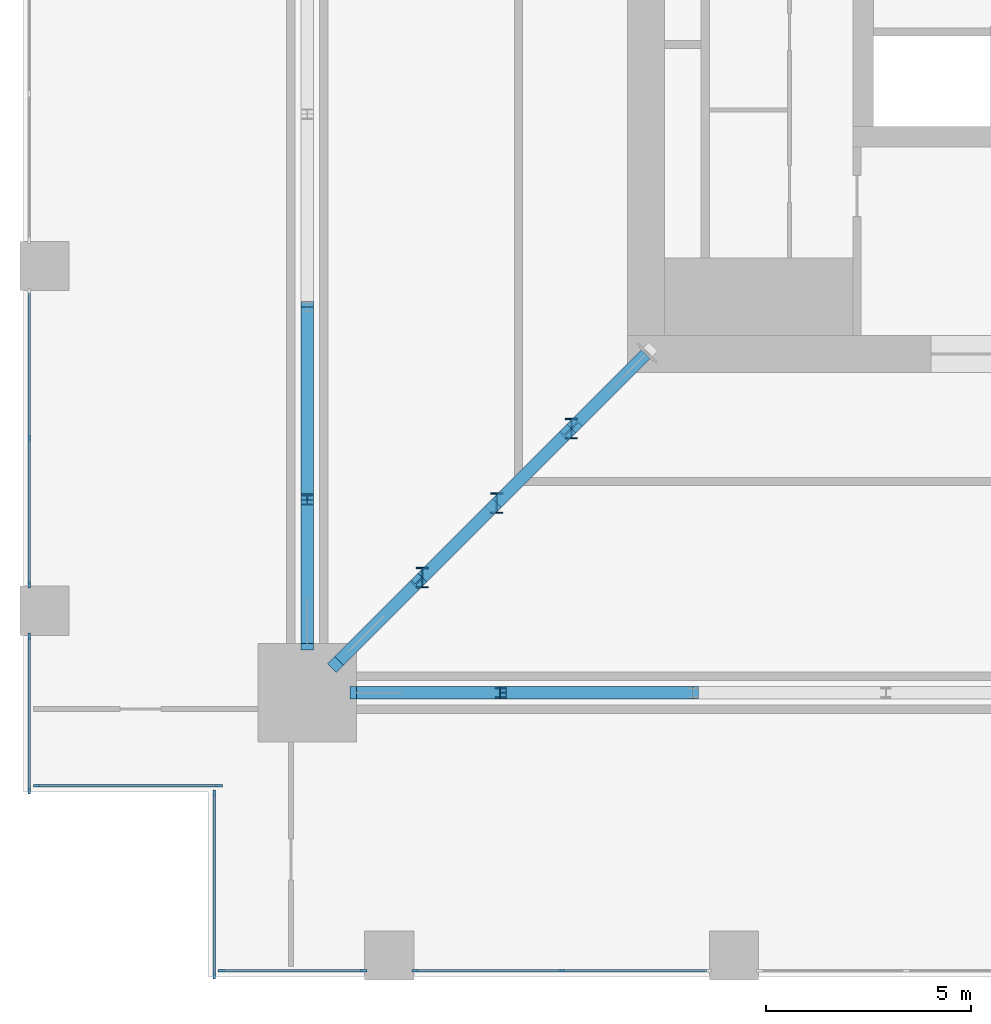
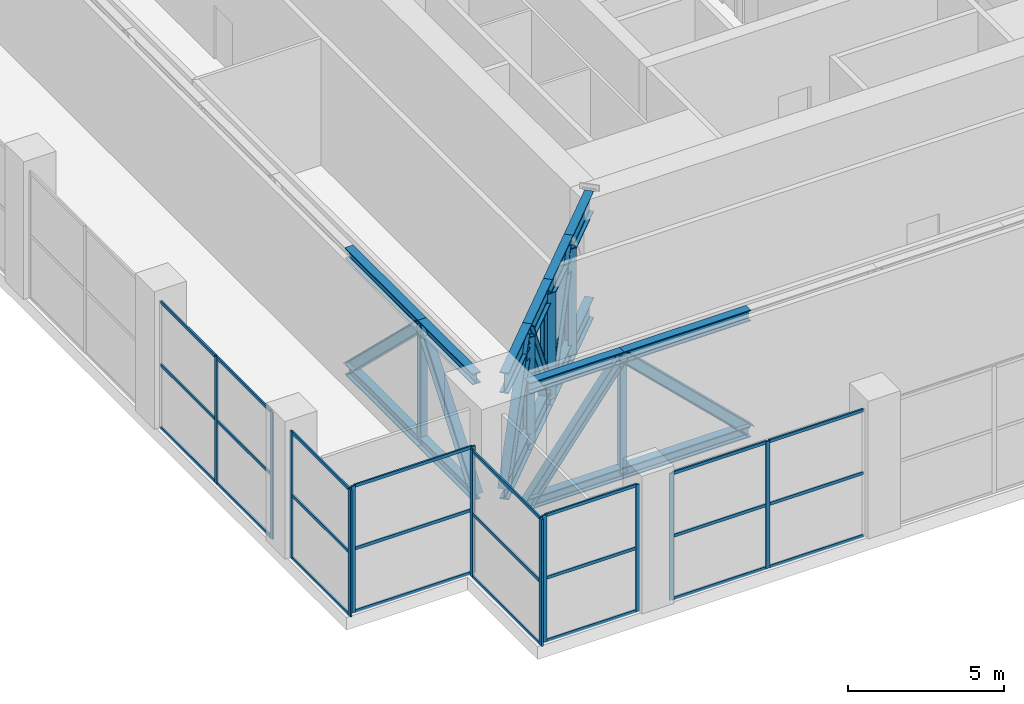
# One storey, part 2 of 21: 64 members, 6 elements without a shape of their own.
"""IFC4 building model written with IfcOpenShell, lengths in metres."""

from ifc_helpers import new_model, si_unit, direction, frame, origin, origin_2d, place, context, subcontext, project, spatial, rectangle, i_section, extrude, material, material_profile, profile_set, type_object, element, aggregate, save


model = new_model("IFC4")

# Units and contexts
model_context = context("Model", 3, precision=1e-05, world=origin(), true_north=direction((0.0, 1.0)))
body_context = subcontext(model_context, "Body", "Model", "MODEL_VIEW")
ifc_project = project(units=[si_unit("LENGTHUNIT", "METRE"), si_unit("AREAUNIT", "SQUARE_METRE"), si_unit("VOLUMEUNIT", "CUBIC_METRE"), si_unit("PLANEANGLEUNIT", "RADIAN"), si_unit("MASSUNIT", "GRAM", prefix="KILO")], contexts=[model_context])

# Site, building, storey
site_placement = place(None, origin())
site = spatial("IfcSite", under=ifc_project, at=site_placement, CompositionType="ELEMENT")
building_placement = place(site_placement, origin())
building = spatial("IfcBuilding", under=site, at=building_placement, Name="Khepri Terraces", CompositionType="ELEMENT")
storey_placement = place(building_placement, frame((0.0, 0.0, 235.199951171875)))
storey = spatial("IfcBuildingStorey", under=building, at=storey_placement, Name="L56", CompositionType="ELEMENT", Elevation=235.199951171875)

# Members
ifc_material_1 = material(Name="Steel S355", Category="steel")
ifc_material_profile_1 = material_profile(ifc_material_1, i_section(OverallWidth=0.306884765625, OverallDepth=0.431884765625, WebThickness=0.02099609375, FlangeThickness=0.0400390625, FilletRadius=0.027099609375, at=origin_2d()), Name="Steel S355", Category="steel")
ifc_profile_set_1 = profile_set([ifc_material_profile_1], Name="Steel S355")
member_type_1 = type_object("IfcMemberType", Name="Belt truss chord HEM 400", PredefinedType="CHORD", material=ifc_profile_set_1)
for number, where, z_axis, x_axis, name in (
    (1, (-17.60009765625, -18.800048828125, 0.216064453125), (1.0, 0.0, 0.0), (0.0, 1.0, 0.0), "Belt truss chord BT-56-S bottom 1"),
    (2, (-17.60009765625, -18.800048828125, 4.76416015625), (1.0, 0.0, 0.0), (0.0, 1.0, 0.0), "Belt truss chord BT-56-S top 1"),
):
    element("IfcMember", number, at=place(storey_placement, frame(where, z_axis=z_axis, x_axis=x_axis)), inside=storey, type_object=member_type_1, Name=name, PredefinedType="CHORD", context=body_context, shape_type="SweptSolid", body=[
        extrude(i_section(OverallWidth=0.306884765625, OverallDepth=0.431884765625, WebThickness=0.02099609375, FlangeThickness=0.0400390625, FilletRadius=0.027099609375, at=origin_2d()), origin(), (0.0, 0.0, 1.0), 3.5),
    ])
for number, where, z_axis, x_axis, name in (
    (3, (-14.10009765625, -18.800048828125, 0.216064453125), (1.0, 0.0, 0.0), (0.0, 1.0, 0.0), "Belt truss chord BT-56-S bottom 2"),
    (4, (-14.10009765625, -18.800048828125, 4.76416015625), (1.0, 0.0, 0.0), (0.0, 1.0, 0.0), "Belt truss chord BT-56-S top 2"),
    (5, (-18.800048828125, -9.39990234375, 0.216064453125), (0.0, -1.0, 0.0), (1.0, 0.0, 0.0), "Belt truss chord BT-56-W bottom 7"),
    (6, (-18.800048828125, -9.39990234375, 4.76416015625), (0.0, -1.0, 0.0), (1.0, 0.0, 0.0), "Belt truss chord BT-56-W top 7"),
):
    element("IfcMember", number, at=place(storey_placement, frame(where, z_axis=z_axis, x_axis=x_axis)), inside=storey, type_object=member_type_1, Name=name, PredefinedType="CHORD", context=body_context, shape_type="SweptSolid", body=[
        extrude(i_section(OverallWidth=0.306884765625, OverallDepth=0.431884765625, WebThickness=0.02099609375, FlangeThickness=0.0400390625, FilletRadius=0.027099609375, at=origin_2d()), origin(), (0.0, 0.0, 1.0), 4.7001953125),
    ])
for number, where, z_axis, x_axis, name in (
    (7, (-18.800048828125, -14.10009765625, 0.216064453125), (0.0, -1.0, 0.0), (1.0, 0.0, 0.0), "Belt truss chord BT-56-W bottom 8"),
    (8, (-18.800048828125, -14.10009765625, 4.76416015625), (0.0, -1.0, 0.0), (1.0, 0.0, 0.0), "Belt truss chord BT-56-W top 8"),
):
    element("IfcMember", number, at=place(storey_placement, frame(where, z_axis=z_axis, x_axis=x_axis)), inside=storey, type_object=member_type_1, Name=name, PredefinedType="CHORD", context=body_context, shape_type="SweptSolid", body=[
        extrude(i_section(OverallWidth=0.306884765625, OverallDepth=0.431884765625, WebThickness=0.02099609375, FlangeThickness=0.0400390625, FilletRadius=0.027099609375, at=origin_2d()), origin(), (0.0, 0.0, 1.0), 3.5),
    ])
ifc_material_profile_2 = material_profile(ifc_material_1, i_section(OverallWidth=0.300048828125, OverallDepth=0.39990234375, WebThickness=0.013427734375, FlangeThickness=0.02392578125, FilletRadius=0.027099609375, at=origin_2d()), Name="Steel S355", Category="steel")
ifc_profile_set_2 = profile_set([ifc_material_profile_2], Name="Steel S355")
member_type_2 = type_object("IfcMemberType", Name="Belt truss diagonal HEB 400", PredefinedType="BRACE", material=ifc_profile_set_2)
member_1_placement = place(storey_placement, frame((-17.60009765625, -18.800048828125, 0.216064453125), z_axis=(0.609871108259, 0.0, 0.792500619123), x_axis=(0.0, 1.0, 0.0)))
element("IfcMember", 9, at=member_1_placement, inside=storey, type_object=member_type_2, Name="Belt truss diagonal BT-56-S 1", PredefinedType="BRACE", context=body_context, shape_type="SweptSolid", body=[
    extrude(i_section(OverallWidth=0.300048828125, OverallDepth=0.39990234375, WebThickness=0.013427734375, FlangeThickness=0.02392578125, FilletRadius=0.027099609375, at=origin_2d()), origin(), (0.0, 0.0, 1.0), 5.739013671875),
])
for number, where, z_axis, x_axis, name in (
    (10, (-14.10009765625, -18.800048828125, 4.76416015625), (0.718638846976, 0.0, -0.695383496796), (0.0, 1.0, 0.0), "Belt truss diagonal BT-56-S 2"),
    (11, (-18.800048828125, -9.39990234375, 0.216064453125), (0.0, -0.718638846976, 0.695383496796), (1.0, 0.0, 0.0), "Belt truss diagonal BT-56-W 7"),
):
    element("IfcMember", number, at=place(storey_placement, frame(where, z_axis=z_axis, x_axis=x_axis)), inside=storey, type_object=member_type_2, Name=name, PredefinedType="BRACE", context=body_context, shape_type="SweptSolid", body=[
        extrude(i_section(OverallWidth=0.300048828125, OverallDepth=0.39990234375, WebThickness=0.013427734375, FlangeThickness=0.02392578125, FilletRadius=0.027099609375, at=origin_2d()), origin(), (0.0, 0.0, 1.0), 6.54052734375),
    ])
member_2_placement = place(storey_placement, frame((-18.800048828125, -14.10009765625, 4.76416015625), z_axis=(0.0, -0.609871108259, -0.792500619123), x_axis=(1.0, 0.0, 0.0)))
element("IfcMember", 12, at=member_2_placement, inside=storey, type_object=member_type_2, Name="Belt truss diagonal BT-56-W 8", PredefinedType="BRACE", context=body_context, shape_type="SweptSolid", body=[
    extrude(i_section(OverallWidth=0.300048828125, OverallDepth=0.39990234375, WebThickness=0.013427734375, FlangeThickness=0.02392578125, FilletRadius=0.027099609375, at=origin_2d()), origin(), (0.0, 0.0, 1.0), 5.739013671875),
])
ifc_material_profile_3 = material_profile(ifc_material_1, i_section(OverallWidth=0.239990234375, OverallDepth=0.239990234375, WebThickness=0.010009765625, FlangeThickness=0.01708984375, FilletRadius=0.02099609375, at=origin_2d()), Name="Steel S355", Category="steel")
ifc_profile_set_3 = profile_set([ifc_material_profile_3], Name="Steel S355")
member_type_3 = type_object("IfcMemberType", Name="Belt truss post HEB 240", PredefinedType="POST", material=ifc_profile_set_3)
for number, where, z_axis, x_axis, name in (
    (13, (-14.10009765625, -18.800048828125, 0.216064453125), (0.0, 0.0, 1.0), (1.0, 0.0, 0.0), "Belt truss post BT-56-S 1"),
    (14, (-18.800048828125, -14.10009765625, 0.216064453125), (0.0, 0.0, 1.0), (1.0, 0.0, 0.0), "Belt truss post BT-56-W 7"),
):
    element("IfcMember", number, at=place(storey_placement, frame(where, z_axis=z_axis, x_axis=x_axis)), inside=storey, type_object=member_type_3, Name=name, PredefinedType="POST", context=body_context, shape_type="SweptSolid", body=[
        extrude(i_section(OverallWidth=0.239990234375, OverallDepth=0.239990234375, WebThickness=0.010009765625, FlangeThickness=0.01708984375, FilletRadius=0.02099609375, at=origin_2d()), origin(), (0.0, 0.0, 1.0), 4.548095703125),
    ])

# Curtain wall, members
ifc_material_2 = material(Name="Anodised aluminium bronze curtain wall", Category="aluminium")
curtain_wall_type = type_object("IfcCurtainWallType", Name="CW-SYS3-SKY", PredefinedType="NOTDEFINED", material=ifc_material_2)
curtain_wall_1_placement = place(storey_placement, origin())
curtain_wall_1 = element("IfcCurtainWall", 15, at=curtain_wall_1_placement, inside=storey, type_object=curtain_wall_type, Name="Curtain wall CW3 L56 W", PredefinedType="NOTDEFINED")
ifc_material_3 = material(Name="Anodised aluminium bronze", Category="aluminium")
ifc_material_profile_4 = material_profile(ifc_material_3, rectangle(XDim=0.06005859375, YDim=0.159912109375, at=origin_2d()), Name="Anodised aluminium bronze", Category="aluminium")
ifc_profile_set_4 = profile_set([ifc_material_profile_4], Name="Anodised aluminium bronze")
member_type_4 = type_object("IfcMemberType", Name="CW-MULLION-60x160", PredefinedType="MULLION", material=ifc_profile_set_4)
member_3_placement = place(storey_placement, frame((-25.570068359375, -12.60009765625, 0.0), z_axis=(0.0, 0.0, 1.0), x_axis=(1.0, 0.0, 0.0)))
member_3 = element("IfcMember", 16, at=member_3_placement, type_object=member_type_4, Name="CW3 mullion 2", PredefinedType="MULLION", context=body_context, shape_type="SweptSolid", body=[
    extrude(rectangle(XDim=0.06005859375, YDim=0.159912109375, at=origin_2d()), origin(), (0.0, 0.0, 1.0), 4.97998046875),
])
member_4_placement = place(storey_placement, frame((-25.570068359375, -16.169921875, 0.0), z_axis=(0.0, 0.0, 1.0), x_axis=(1.0, 0.0, 0.0)))
member_4 = element("IfcMember", 17, at=member_4_placement, type_object=member_type_4, Name="CW3 mullion 3", PredefinedType="MULLION", context=body_context, shape_type="SweptSolid", body=[
    extrude(rectangle(XDim=0.06005859375, YDim=0.159912109375, at=origin_2d()), origin(), (0.0, 0.0, 1.0), 4.97998046875),
])

curtain_wall_2_placement = place(storey_placement, origin())
curtain_wall_2 = element("IfcCurtainWall", 18, at=curtain_wall_2_placement, inside=storey, type_object=curtain_wall_type, Name="Curtain wall CW3 L56 W", PredefinedType="NOTDEFINED")
member_5_placement = place(storey_placement, frame((-25.570068359375, -17.429931640625, 0.0), z_axis=(0.0, 0.0, 1.0), x_axis=(1.0, 0.0, 0.0)))
member_5 = element("IfcMember", 19, at=member_5_placement, type_object=member_type_4, Name="CW3 mullion 1", PredefinedType="MULLION", context=body_context, shape_type="SweptSolid", body=[
    extrude(rectangle(XDim=0.06005859375, YDim=0.159912109375, at=origin_2d()), origin(), (0.0, 0.0, 1.0), 4.97998046875),
])
member_6_placement = place(storey_placement, frame((-25.570068359375, -21.18994140625, 0.0), z_axis=(0.0, 0.0, 1.0), x_axis=(1.0, 0.0, 0.0)))
member_6 = element("IfcMember", 20, at=member_6_placement, type_object=member_type_4, Name="CW3 mullion 2", PredefinedType="MULLION", context=body_context, shape_type="SweptSolid", body=[
    extrude(rectangle(XDim=0.06005859375, YDim=0.159912109375, at=origin_2d()), origin(), (0.0, 0.0, 1.0), 4.97998046875),
])

curtain_wall_3_placement = place(storey_placement, origin())
curtain_wall_3 = element("IfcCurtainWall", 21, at=curtain_wall_3_placement, inside=storey, type_object=curtain_wall_type, Name="Curtain wall CW3 L56 S", PredefinedType="NOTDEFINED")
member_7_placement = place(storey_placement, frame((-25.389892578125, -21.070068359375, 0.0), z_axis=(0.0, 0.0, 1.0), x_axis=(0.0, 1.0, 0.0)))
member_7 = element("IfcMember", 22, at=member_7_placement, type_object=member_type_4, Name="CW3 mullion 1", PredefinedType="MULLION", context=body_context, shape_type="SweptSolid", body=[
    extrude(rectangle(XDim=0.06005859375, YDim=0.159912109375, at=origin_2d()), origin(), (0.0, 0.0, 1.0), 4.97998046875),
])
member_8_placement = place(storey_placement, frame((-20.949951171875, -21.070068359375, 0.0), z_axis=(0.0, 0.0, 1.0), x_axis=(0.0, 1.0, 0.0)))
member_8 = element("IfcMember", 23, at=member_8_placement, type_object=member_type_4, Name="CW3 mullion 2", PredefinedType="MULLION", context=body_context, shape_type="SweptSolid", body=[
    extrude(rectangle(XDim=0.06005859375, YDim=0.159912109375, at=origin_2d()), origin(), (0.0, 0.0, 1.0), 4.97998046875),
])

curtain_wall_4_placement = place(storey_placement, origin())
curtain_wall_4 = element("IfcCurtainWall", 24, at=curtain_wall_4_placement, inside=storey, type_object=curtain_wall_type, Name="Curtain wall CW3 L56 W", PredefinedType="NOTDEFINED")
member_9_placement = place(storey_placement, frame((-21.070068359375, -21.25, 0.0), z_axis=(0.0, 0.0, 1.0), x_axis=(1.0, 0.0, 0.0)))
member_9 = element("IfcMember", 25, at=member_9_placement, type_object=member_type_4, Name="CW3 mullion 1", PredefinedType="MULLION", context=body_context, shape_type="SweptSolid", body=[
    extrude(rectangle(XDim=0.06005859375, YDim=0.159912109375, at=origin_2d()), origin(), (0.0, 0.0, 1.0), 4.97998046875),
])
member_10_placement = place(storey_placement, frame((-21.070068359375, -25.68994140625, 0.0), z_axis=(0.0, 0.0, 1.0), x_axis=(1.0, 0.0, 0.0)))
member_10 = element("IfcMember", 26, at=member_10_placement, type_object=member_type_4, Name="CW3 mullion 2", PredefinedType="MULLION", context=body_context, shape_type="SweptSolid", body=[
    extrude(rectangle(XDim=0.06005859375, YDim=0.159912109375, at=origin_2d()), origin(), (0.0, 0.0, 1.0), 4.97998046875),
])

curtain_wall_5_placement = place(storey_placement, origin())
curtain_wall_5 = element("IfcCurtainWall", 27, at=curtain_wall_5_placement, inside=storey, type_object=curtain_wall_type, Name="Curtain wall CW3 L56 S", PredefinedType="NOTDEFINED")
member_11_placement = place(storey_placement, frame((-20.889892578125, -25.570068359375, 0.0), z_axis=(0.0, 0.0, 1.0), x_axis=(0.0, 1.0, 0.0)))
member_11 = element("IfcMember", 28, at=member_11_placement, type_object=member_type_4, Name="CW3 mullion 1", PredefinedType="MULLION", context=body_context, shape_type="SweptSolid", body=[
    extrude(rectangle(XDim=0.06005859375, YDim=0.159912109375, at=origin_2d()), origin(), (0.0, 0.0, 1.0), 4.97998046875),
])
member_12_placement = place(storey_placement, frame((-17.429931640625, -25.570068359375, 0.0), z_axis=(0.0, 0.0, 1.0), x_axis=(0.0, 1.0, 0.0)))
member_12 = element("IfcMember", 29, at=member_12_placement, type_object=member_type_4, Name="CW3 mullion 2", PredefinedType="MULLION", context=body_context, shape_type="SweptSolid", body=[
    extrude(rectangle(XDim=0.06005859375, YDim=0.159912109375, at=origin_2d()), origin(), (0.0, 0.0, 1.0), 4.97998046875),
])

curtain_wall_6_placement = place(storey_placement, origin())
curtain_wall_6 = element("IfcCurtainWall", 30, at=curtain_wall_6_placement, inside=storey, type_object=curtain_wall_type, Name="Curtain wall CW3 L56 S", PredefinedType="NOTDEFINED")
member_13_placement = place(storey_placement, frame((-16.169921875, -25.570068359375, 0.0), z_axis=(0.0, 0.0, 1.0), x_axis=(0.0, 1.0, 0.0)))
member_13 = element("IfcMember", 31, at=member_13_placement, type_object=member_type_4, Name="CW3 mullion 1", PredefinedType="MULLION", context=body_context, shape_type="SweptSolid", body=[
    extrude(rectangle(XDim=0.06005859375, YDim=0.159912109375, at=origin_2d()), origin(), (0.0, 0.0, 1.0), 4.97998046875),
])
member_14_placement = place(storey_placement, frame((-12.60009765625, -25.570068359375, 0.0), z_axis=(0.0, 0.0, 1.0), x_axis=(0.0, 1.0, 0.0)))
member_14 = element("IfcMember", 32, at=member_14_placement, type_object=member_type_4, Name="CW3 mullion 2", PredefinedType="MULLION", context=body_context, shape_type="SweptSolid", body=[
    extrude(rectangle(XDim=0.06005859375, YDim=0.159912109375, at=origin_2d()), origin(), (0.0, 0.0, 1.0), 4.97998046875),
])

# Member
ifc_material_profile_5 = material_profile(ifc_material_3, rectangle(XDim=0.06005859375, YDim=0.1201171875, at=origin_2d()), Name="Anodised aluminium bronze", Category="aluminium")
ifc_profile_set_5 = profile_set([ifc_material_profile_5], Name="Anodised aluminium bronze")
member_type_5 = type_object("IfcMemberType", Name="CW-TRANSOM-60x120", PredefinedType="USERDEFINED", material=ifc_profile_set_5)
member_15_placement = place(storey_placement, frame((-25.570068359375, -9.06005859375, 0.030029296875), z_axis=(0.0, -1.0, 0.0), x_axis=(1.0, 0.0, 0.0)))
member_15 = element("IfcMember", 33, at=member_15_placement, type_object=member_type_5, Name="CW3 transom 1.1", ObjectType="TRANSOM", PredefinedType="USERDEFINED", context=body_context, shape_type="SweptSolid", body=[
    extrude(rectangle(XDim=0.06005859375, YDim=0.1201171875, at=origin_2d()), origin(), (0.0, 0.0, 1.0), 3.510009765625),
])

member_16_placement = place(storey_placement, frame((-25.570068359375, -9.06005859375, 2.489990234375), z_axis=(0.0, -1.0, 0.0), x_axis=(1.0, 0.0, 0.0)))
member_16 = element("IfcMember", 34, at=member_16_placement, type_object=member_type_5, Name="CW3 transom 1.2", ObjectType="TRANSOM", PredefinedType="USERDEFINED", context=body_context, shape_type="SweptSolid", body=[
    extrude(rectangle(XDim=0.06005859375, YDim=0.1201171875, at=origin_2d()), origin(), (0.0, 0.0, 1.0), 3.510009765625),
])

member_17_placement = place(storey_placement, frame((-25.570068359375, -9.06005859375, 4.949951171875), z_axis=(0.0, -1.0, 0.0), x_axis=(1.0, 0.0, 0.0)))
member_17 = element("IfcMember", 35, at=member_17_placement, type_object=member_type_5, Name="CW3 transom 1.3", ObjectType="TRANSOM", PredefinedType="USERDEFINED", context=body_context, shape_type="SweptSolid", body=[
    extrude(rectangle(XDim=0.06005859375, YDim=0.1201171875, at=origin_2d()), origin(), (0.0, 0.0, 1.0), 3.510009765625),
])

member_18_placement = place(storey_placement, frame((-25.570068359375, -12.6298828125, 0.030029296875), z_axis=(0.0, -1.0, 0.0), x_axis=(1.0, 0.0, 0.0)))
member_18 = element("IfcMember", 36, at=member_18_placement, type_object=member_type_5, Name="CW3 transom 2.1", ObjectType="TRANSOM", PredefinedType="USERDEFINED", context=body_context, shape_type="SweptSolid", body=[
    extrude(rectangle(XDim=0.06005859375, YDim=0.1201171875, at=origin_2d()), origin(), (0.0, 0.0, 1.0), 3.510009765625),
])

member_19_placement = place(storey_placement, frame((-25.570068359375, -12.6298828125, 2.489990234375), z_axis=(0.0, -1.0, 0.0), x_axis=(1.0, 0.0, 0.0)))
member_19 = element("IfcMember", 37, at=member_19_placement, type_object=member_type_5, Name="CW3 transom 2.2", ObjectType="TRANSOM", PredefinedType="USERDEFINED", context=body_context, shape_type="SweptSolid", body=[
    extrude(rectangle(XDim=0.06005859375, YDim=0.1201171875, at=origin_2d()), origin(), (0.0, 0.0, 1.0), 3.510009765625),
])

member_20_placement = place(storey_placement, frame((-25.570068359375, -12.6298828125, 4.949951171875), z_axis=(0.0, -1.0, 0.0), x_axis=(1.0, 0.0, 0.0)))
member_20 = element("IfcMember", 38, at=member_20_placement, type_object=member_type_5, Name="CW3 transom 2.3", ObjectType="TRANSOM", PredefinedType="USERDEFINED", context=body_context, shape_type="SweptSolid", body=[
    extrude(rectangle(XDim=0.06005859375, YDim=0.1201171875, at=origin_2d()), origin(), (0.0, 0.0, 1.0), 3.510009765625),
])

aggregate(curtain_wall_1, [member_3, member_4, member_15, member_16, member_17, member_18, member_19, member_20])

member_21_placement = place(storey_placement, frame((-25.570068359375, -17.4599609375, 0.030029296875), z_axis=(0.0, -1.0, 0.0), x_axis=(1.0, 0.0, 0.0)))
member_21 = element("IfcMember", 39, at=member_21_placement, type_object=member_type_5, Name="CW3 transom 1.1", ObjectType="TRANSOM", PredefinedType="USERDEFINED", context=body_context, shape_type="SweptSolid", body=[
    extrude(rectangle(XDim=0.06005859375, YDim=0.1201171875, at=origin_2d()), origin(), (0.0, 0.0, 1.0), 3.699951171875),
])

member_22_placement = place(storey_placement, frame((-25.570068359375, -17.4599609375, 2.489990234375), z_axis=(0.0, -1.0, 0.0), x_axis=(1.0, 0.0, 0.0)))
member_22 = element("IfcMember", 40, at=member_22_placement, type_object=member_type_5, Name="CW3 transom 1.2", ObjectType="TRANSOM", PredefinedType="USERDEFINED", context=body_context, shape_type="SweptSolid", body=[
    extrude(rectangle(XDim=0.06005859375, YDim=0.1201171875, at=origin_2d()), origin(), (0.0, 0.0, 1.0), 3.699951171875),
])

member_23_placement = place(storey_placement, frame((-25.570068359375, -17.4599609375, 4.949951171875), z_axis=(0.0, -1.0, 0.0), x_axis=(1.0, 0.0, 0.0)))
member_23 = element("IfcMember", 41, at=member_23_placement, type_object=member_type_5, Name="CW3 transom 1.3", ObjectType="TRANSOM", PredefinedType="USERDEFINED", context=body_context, shape_type="SweptSolid", body=[
    extrude(rectangle(XDim=0.06005859375, YDim=0.1201171875, at=origin_2d()), origin(), (0.0, 0.0, 1.0), 3.699951171875),
])

aggregate(curtain_wall_2, [member_5, member_6, member_21, member_22, member_23])

member_24_placement = place(storey_placement, frame((-25.360107421875, -21.070068359375, 0.030029296875), z_axis=(1.0, 0.0, 0.0), x_axis=(0.0, 1.0, 0.0)))
member_24 = element("IfcMember", 42, at=member_24_placement, type_object=member_type_5, Name="CW3 transom 1.1", ObjectType="TRANSOM", PredefinedType="USERDEFINED", context=body_context, shape_type="SweptSolid", body=[
    extrude(rectangle(XDim=0.06005859375, YDim=0.1201171875, at=origin_2d()), origin(), (0.0, 0.0, 1.0), 4.380126953125),
])

member_25_placement = place(storey_placement, frame((-25.360107421875, -21.070068359375, 2.489990234375), z_axis=(1.0, 0.0, 0.0), x_axis=(0.0, 1.0, 0.0)))
member_25 = element("IfcMember", 43, at=member_25_placement, type_object=member_type_5, Name="CW3 transom 1.2", ObjectType="TRANSOM", PredefinedType="USERDEFINED", context=body_context, shape_type="SweptSolid", body=[
    extrude(rectangle(XDim=0.06005859375, YDim=0.1201171875, at=origin_2d()), origin(), (0.0, 0.0, 1.0), 4.380126953125),
])

member_26_placement = place(storey_placement, frame((-25.360107421875, -21.070068359375, 4.949951171875), z_axis=(1.0, 0.0, 0.0), x_axis=(0.0, 1.0, 0.0)))
member_26 = element("IfcMember", 44, at=member_26_placement, type_object=member_type_5, Name="CW3 transom 1.3", ObjectType="TRANSOM", PredefinedType="USERDEFINED", context=body_context, shape_type="SweptSolid", body=[
    extrude(rectangle(XDim=0.06005859375, YDim=0.1201171875, at=origin_2d()), origin(), (0.0, 0.0, 1.0), 4.380126953125),
])

aggregate(curtain_wall_3, [member_7, member_8, member_24, member_25, member_26])

member_27_placement = place(storey_placement, frame((-21.070068359375, -21.280029296875, 0.030029296875), z_axis=(0.0, -1.0, 0.0), x_axis=(1.0, 0.0, 0.0)))
member_27 = element("IfcMember", 45, at=member_27_placement, type_object=member_type_5, Name="CW3 transom 1.1", ObjectType="TRANSOM", PredefinedType="USERDEFINED", context=body_context, shape_type="SweptSolid", body=[
    extrude(rectangle(XDim=0.06005859375, YDim=0.1201171875, at=origin_2d()), origin(), (0.0, 0.0, 1.0), 4.3798828125),
])

member_28_placement = place(storey_placement, frame((-21.070068359375, -21.280029296875, 2.489990234375), z_axis=(0.0, -1.0, 0.0), x_axis=(1.0, 0.0, 0.0)))
member_28 = element("IfcMember", 46, at=member_28_placement, type_object=member_type_5, Name="CW3 transom 1.2", ObjectType="TRANSOM", PredefinedType="USERDEFINED", context=body_context, shape_type="SweptSolid", body=[
    extrude(rectangle(XDim=0.06005859375, YDim=0.1201171875, at=origin_2d()), origin(), (0.0, 0.0, 1.0), 4.3798828125),
])

member_29_placement = place(storey_placement, frame((-21.070068359375, -21.280029296875, 4.949951171875), z_axis=(0.0, -1.0, 0.0), x_axis=(1.0, 0.0, 0.0)))
member_29 = element("IfcMember", 47, at=member_29_placement, type_object=member_type_5, Name="CW3 transom 1.3", ObjectType="TRANSOM", PredefinedType="USERDEFINED", context=body_context, shape_type="SweptSolid", body=[
    extrude(rectangle(XDim=0.06005859375, YDim=0.1201171875, at=origin_2d()), origin(), (0.0, 0.0, 1.0), 4.3798828125),
])

aggregate(curtain_wall_4, [member_9, member_10, member_27, member_28, member_29])

member_30_placement = place(storey_placement, frame((-20.860107421875, -25.570068359375, 0.030029296875), z_axis=(1.0, 0.0, 0.0), x_axis=(0.0, 1.0, 0.0)))
member_30 = element("IfcMember", 48, at=member_30_placement, type_object=member_type_5, Name="CW3 transom 1.1", ObjectType="TRANSOM", PredefinedType="USERDEFINED", context=body_context, shape_type="SweptSolid", body=[
    extrude(rectangle(XDim=0.06005859375, YDim=0.1201171875, at=origin_2d()), origin(), (0.0, 0.0, 1.0), 3.400146484375),
])

member_31_placement = place(storey_placement, frame((-20.860107421875, -25.570068359375, 2.489990234375), z_axis=(1.0, 0.0, 0.0), x_axis=(0.0, 1.0, 0.0)))
member_31 = element("IfcMember", 49, at=member_31_placement, type_object=member_type_5, Name="CW3 transom 1.2", ObjectType="TRANSOM", PredefinedType="USERDEFINED", context=body_context, shape_type="SweptSolid", body=[
    extrude(rectangle(XDim=0.06005859375, YDim=0.1201171875, at=origin_2d()), origin(), (0.0, 0.0, 1.0), 3.400146484375),
])

member_32_placement = place(storey_placement, frame((-20.860107421875, -25.570068359375, 4.949951171875), z_axis=(1.0, 0.0, 0.0), x_axis=(0.0, 1.0, 0.0)))
member_32 = element("IfcMember", 50, at=member_32_placement, type_object=member_type_5, Name="CW3 transom 1.3", ObjectType="TRANSOM", PredefinedType="USERDEFINED", context=body_context, shape_type="SweptSolid", body=[
    extrude(rectangle(XDim=0.06005859375, YDim=0.1201171875, at=origin_2d()), origin(), (0.0, 0.0, 1.0), 3.400146484375),
])

aggregate(curtain_wall_5, [member_11, member_12, member_30, member_31, member_32])

member_33_placement = place(storey_placement, frame((-16.139892578125, -25.570068359375, 0.030029296875), z_axis=(1.0, 0.0, 0.0), x_axis=(0.0, 1.0, 0.0)))
member_33 = element("IfcMember", 51, at=member_33_placement, type_object=member_type_5, Name="CW3 transom 1.1", ObjectType="TRANSOM", PredefinedType="USERDEFINED", context=body_context, shape_type="SweptSolid", body=[
    extrude(rectangle(XDim=0.06005859375, YDim=0.1201171875, at=origin_2d()), origin(), (0.0, 0.0, 1.0), 3.510009765625),
])

member_34_placement = place(storey_placement, frame((-16.139892578125, -25.570068359375, 2.489990234375), z_axis=(1.0, 0.0, 0.0), x_axis=(0.0, 1.0, 0.0)))
member_34 = element("IfcMember", 52, at=member_34_placement, type_object=member_type_5, Name="CW3 transom 1.2", ObjectType="TRANSOM", PredefinedType="USERDEFINED", context=body_context, shape_type="SweptSolid", body=[
    extrude(rectangle(XDim=0.06005859375, YDim=0.1201171875, at=origin_2d()), origin(), (0.0, 0.0, 1.0), 3.510009765625),
])

member_35_placement = place(storey_placement, frame((-16.139892578125, -25.570068359375, 4.949951171875), z_axis=(1.0, 0.0, 0.0), x_axis=(0.0, 1.0, 0.0)))
member_35 = element("IfcMember", 53, at=member_35_placement, type_object=member_type_5, Name="CW3 transom 1.3", ObjectType="TRANSOM", PredefinedType="USERDEFINED", context=body_context, shape_type="SweptSolid", body=[
    extrude(rectangle(XDim=0.06005859375, YDim=0.1201171875, at=origin_2d()), origin(), (0.0, 0.0, 1.0), 3.510009765625),
])

member_36_placement = place(storey_placement, frame((-12.570068359375, -25.570068359375, 0.030029296875), z_axis=(1.0, 0.0, 0.0), x_axis=(0.0, 1.0, 0.0)))
member_36 = element("IfcMember", 54, at=member_36_placement, type_object=member_type_5, Name="CW3 transom 2.1", ObjectType="TRANSOM", PredefinedType="USERDEFINED", context=body_context, shape_type="SweptSolid", body=[
    extrude(rectangle(XDim=0.06005859375, YDim=0.1201171875, at=origin_2d()), origin(), (0.0, 0.0, 1.0), 3.510009765625),
])

member_37_placement = place(storey_placement, frame((-12.570068359375, -25.570068359375, 2.489990234375), z_axis=(1.0, 0.0, 0.0), x_axis=(0.0, 1.0, 0.0)))
member_37 = element("IfcMember", 55, at=member_37_placement, type_object=member_type_5, Name="CW3 transom 2.2", ObjectType="TRANSOM", PredefinedType="USERDEFINED", context=body_context, shape_type="SweptSolid", body=[
    extrude(rectangle(XDim=0.06005859375, YDim=0.1201171875, at=origin_2d()), origin(), (0.0, 0.0, 1.0), 3.510009765625),
])

member_38_placement = place(storey_placement, frame((-12.570068359375, -25.570068359375, 4.949951171875), z_axis=(1.0, 0.0, 0.0), x_axis=(0.0, 1.0, 0.0)))
member_38 = element("IfcMember", 56, at=member_38_placement, type_object=member_type_5, Name="CW3 transom 2.3", ObjectType="TRANSOM", PredefinedType="USERDEFINED", context=body_context, shape_type="SweptSolid", body=[
    extrude(rectangle(XDim=0.06005859375, YDim=0.1201171875, at=origin_2d()), origin(), (0.0, 0.0, 1.0), 3.510009765625),
])

aggregate(curtain_wall_6, [member_13, member_14, member_33, member_34, member_35, member_36, member_37, member_38])

# Members
ifc_material_profile_6 = material_profile(ifc_material_1, i_section(OverallWidth=0.302978515625, OverallDepth=0.81396484375, WebThickness=0.02099609375, FlangeThickness=0.0400390625, FilletRadius=0.030029296875, at=origin_2d()), Name="Steel S355", Category="steel")
ifc_profile_set_6 = profile_set([ifc_material_profile_6], Name="Steel S355")
member_type_6 = type_object("IfcMemberType", Name="Outrigger chord HEM 800", PredefinedType="CHORD", material=ifc_profile_set_6)
for number, where, z_axis, x_axis, name in (
    (57, (-10.550048828125, -10.550048828125, 0.406982421875), (-0.707106781187, -0.707106781187, 0.0), (0.707106781187, -0.707106781187, 0.0), "Outrigger chord OT-56-WS bottom 1"),
    (58, (-10.550048828125, -10.550048828125, 4.572998046875), (-0.707106781187, -0.707106781187, 0.0), (0.707106781187, -0.707106781187, 0.0), "Outrigger chord OT-56-WS top 1"),
):
    element("IfcMember", number, at=place(storey_placement, frame(where, z_axis=z_axis, x_axis=x_axis)), inside=storey, type_object=member_type_6, Name=name, PredefinedType="CHORD", context=body_context, shape_type="SweptSolid", body=[
        extrude(i_section(OverallWidth=0.302978515625, OverallDepth=0.81396484375, WebThickness=0.02099609375, FlangeThickness=0.0400390625, FilletRadius=0.030029296875, at=origin_2d()), origin(), (0.0, 0.0, 1.0), 2.5673828125),
    ])
for number, where, z_axis, x_axis, name in (
    (59, (-12.365478515625, -12.365478515625, 0.406982421875), (-0.707106781187, -0.707106781187, 0.0), (0.707106781187, -0.707106781187, 0.0), "Outrigger chord OT-56-WS bottom 2"),
    (60, (-12.365478515625, -12.365478515625, 4.572998046875), (-0.707106781187, -0.707106781187, 0.0), (0.707106781187, -0.707106781187, 0.0), "Outrigger chord OT-56-WS top 2"),
):
    element("IfcMember", number, at=place(storey_placement, frame(where, z_axis=z_axis, x_axis=x_axis)), inside=storey, type_object=member_type_6, Name=name, PredefinedType="CHORD", context=body_context, shape_type="SweptSolid", body=[
        extrude(i_section(OverallWidth=0.302978515625, OverallDepth=0.81396484375, WebThickness=0.02099609375, FlangeThickness=0.0400390625, FilletRadius=0.030029296875, at=origin_2d()), origin(), (0.0, 0.0, 1.0), 2.56787109375),
    ])
for number, where, z_axis, x_axis, name in (
    (61, (-14.18115234375, -14.18115234375, 0.406982421875), (-0.707106781187, -0.707106781187, 0.0), (0.707106781187, -0.707106781187, 0.0), "Outrigger chord OT-56-WS bottom 3"),
    (62, (-14.18115234375, -14.18115234375, 4.572998046875), (-0.707106781187, -0.707106781187, 0.0), (0.707106781187, -0.707106781187, 0.0), "Outrigger chord OT-56-WS top 3"),
):
    element("IfcMember", number, at=place(storey_placement, frame(where, z_axis=z_axis, x_axis=x_axis)), inside=storey, type_object=member_type_6, Name=name, PredefinedType="CHORD", context=body_context, shape_type="SweptSolid", body=[
        extrude(i_section(OverallWidth=0.302978515625, OverallDepth=0.81396484375, WebThickness=0.02099609375, FlangeThickness=0.0400390625, FilletRadius=0.030029296875, at=origin_2d()), origin(), (0.0, 0.0, 1.0), 2.5673828125),
    ])
for number, where, z_axis, x_axis, name in (
    (63, (-15.99658203125, -15.99658203125, 0.406982421875), (-0.707106781187, -0.707106781187, 0.0), (0.707106781187, -0.707106781187, 0.0), "Outrigger chord OT-56-WS bottom 4"),
    (64, (-15.99658203125, -15.99658203125, 4.572998046875), (-0.707106781187, -0.707106781187, 0.0), (0.707106781187, -0.707106781187, 0.0), "Outrigger chord OT-56-WS top 4"),
):
    element("IfcMember", number, at=place(storey_placement, frame(where, z_axis=z_axis, x_axis=x_axis)), inside=storey, type_object=member_type_6, Name=name, PredefinedType="CHORD", context=body_context, shape_type="SweptSolid", body=[
        extrude(i_section(OverallWidth=0.302978515625, OverallDepth=0.81396484375, WebThickness=0.02099609375, FlangeThickness=0.0400390625, FilletRadius=0.030029296875, at=origin_2d()), origin(), (0.0, 0.0, 1.0), 2.86474609375),
    ])
ifc_material_profile_7 = material_profile(ifc_material_1, i_section(OverallWidth=0.304931640625, OverallDepth=0.6201171875, WebThickness=0.02099609375, FlangeThickness=0.0400390625, FilletRadius=0.027099609375, at=origin_2d()), Name="Steel S355", Category="steel")
ifc_profile_set_7 = profile_set([ifc_material_profile_7], Name="Steel S355")
member_type_7 = type_object("IfcMemberType", Name="Outrigger diagonal HEM 600", PredefinedType="BRACE", material=ifc_profile_set_7)
member_39_placement = place(storey_placement, frame((-12.365478515625, -12.365478515625, 4.572998046875), z_axis=(-0.371017058379, -0.371017058379, -0.851288837459), x_axis=(0.707106781187, -0.707106781187, 0.0)))
element("IfcMember", 65, at=member_39_placement, inside=storey, type_object=member_type_7, Name="Outrigger diagonal OT-56-WS 2", PredefinedType="BRACE", context=body_context, shape_type="SweptSolid", body=[
    extrude(i_section(OverallWidth=0.304931640625, OverallDepth=0.6201171875, WebThickness=0.02099609375, FlangeThickness=0.0400390625, FilletRadius=0.027099609375, at=origin_2d()), origin(), (0.0, 0.0, 1.0), 4.893798828125),
])
member_40_placement = place(storey_placement, frame((-14.18115234375, -14.18115234375, 0.406982421875), z_axis=(-0.370980902903, -0.370980902903, 0.85132035061), x_axis=(0.707106781187, -0.707106781187, 0.0)))
element("IfcMember", 66, at=member_40_placement, inside=storey, type_object=member_type_7, Name="Outrigger diagonal OT-56-WS 3", PredefinedType="BRACE", context=body_context, shape_type="SweptSolid", body=[
    extrude(i_section(OverallWidth=0.304931640625, OverallDepth=0.6201171875, WebThickness=0.02099609375, FlangeThickness=0.0400390625, FilletRadius=0.027099609375, at=origin_2d()), origin(), (0.0, 0.0, 1.0), 4.8935546875),
])
member_41_placement = place(storey_placement, frame((-15.99658203125, -15.99658203125, 4.572998046875), z_axis=(-0.400648073883, -0.400648073883, -0.823991651528), x_axis=(0.707106781187, -0.707106781187, 0.0)))
element("IfcMember", 67, at=member_41_placement, inside=storey, type_object=member_type_7, Name="Outrigger diagonal OT-56-WS 4", PredefinedType="BRACE", context=body_context, shape_type="SweptSolid", body=[
    extrude(i_section(OverallWidth=0.304931640625, OverallDepth=0.6201171875, WebThickness=0.02099609375, FlangeThickness=0.0400390625, FilletRadius=0.027099609375, at=origin_2d()), origin(), (0.0, 0.0, 1.0), 5.055908203125),
])
ifc_material_profile_8 = material_profile(ifc_material_1, i_section(OverallWidth=0.300048828125, OverallDepth=0.5, WebThickness=0.014404296875, FlangeThickness=0.028076171875, FilletRadius=0.027099609375, at=origin_2d()), Name="Steel S355", Category="steel")
ifc_profile_set_8 = profile_set([ifc_material_profile_8], Name="Steel S355")
member_type_8 = type_object("IfcMemberType", Name="Outrigger post HEB 500", PredefinedType="POST", material=ifc_profile_set_8)
for number, where, z_axis, x_axis, name in (
    (68, (-12.365478515625, -12.365478515625, 0.406982421875), (0.0, 0.0, 1.0), (1.0, 0.0, 0.0), "Outrigger post OT-56-WS 1"),
    (69, (-14.18115234375, -14.18115234375, 0.406982421875), (0.0, 0.0, 1.0), (1.0, 0.0, 0.0), "Outrigger post OT-56-WS 2"),
    (70, (-15.99658203125, -15.99658203125, 0.406982421875), (0.0, 0.0, 1.0), (1.0, 0.0, 0.0), "Outrigger post OT-56-WS 3"),
):
    element("IfcMember", number, at=place(storey_placement, frame(where, z_axis=z_axis, x_axis=x_axis)), inside=storey, type_object=member_type_8, Name=name, PredefinedType="POST", context=body_context, shape_type="SweptSolid", body=[
        extrude(i_section(OverallWidth=0.300048828125, OverallDepth=0.5, WebThickness=0.014404296875, FlangeThickness=0.028076171875, FilletRadius=0.027099609375, at=origin_2d()), origin(), (0.0, 0.0, 1.0), 4.166015625),
    ])

save(model, "model.ifc")
